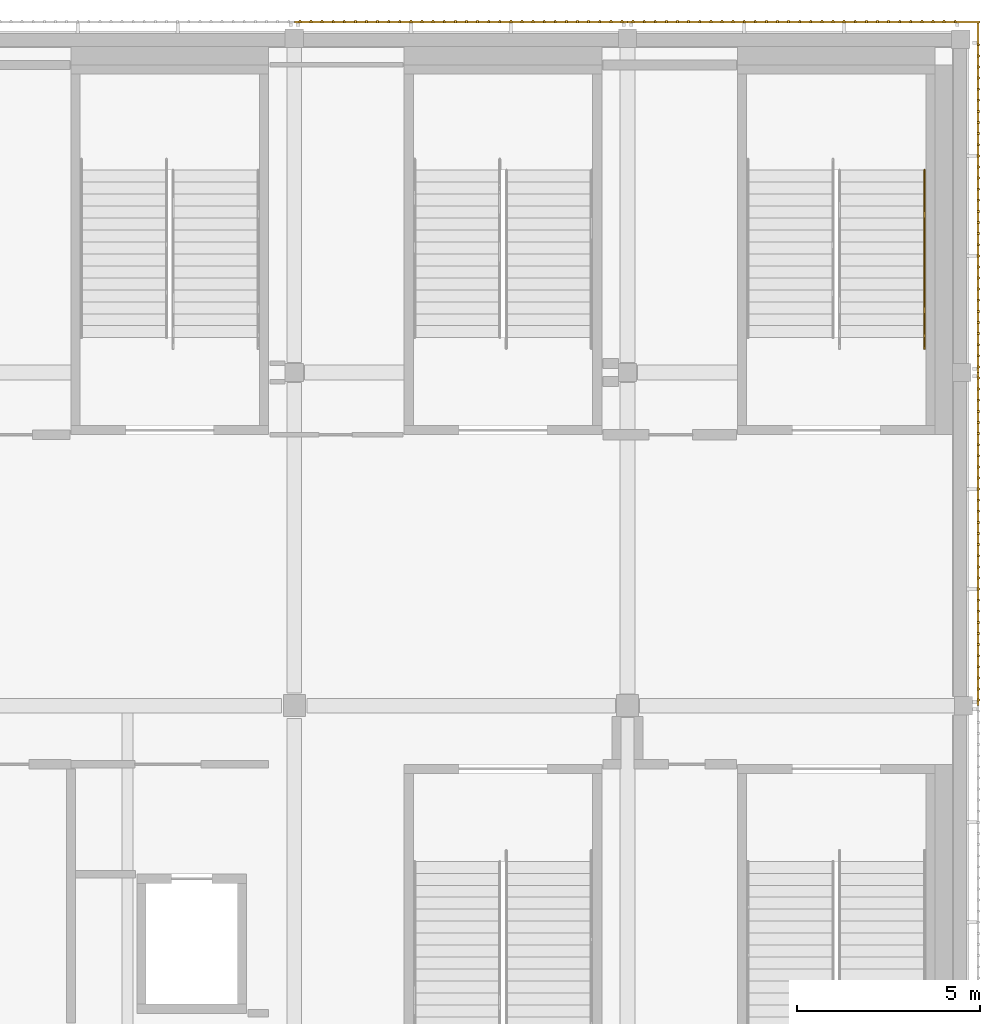
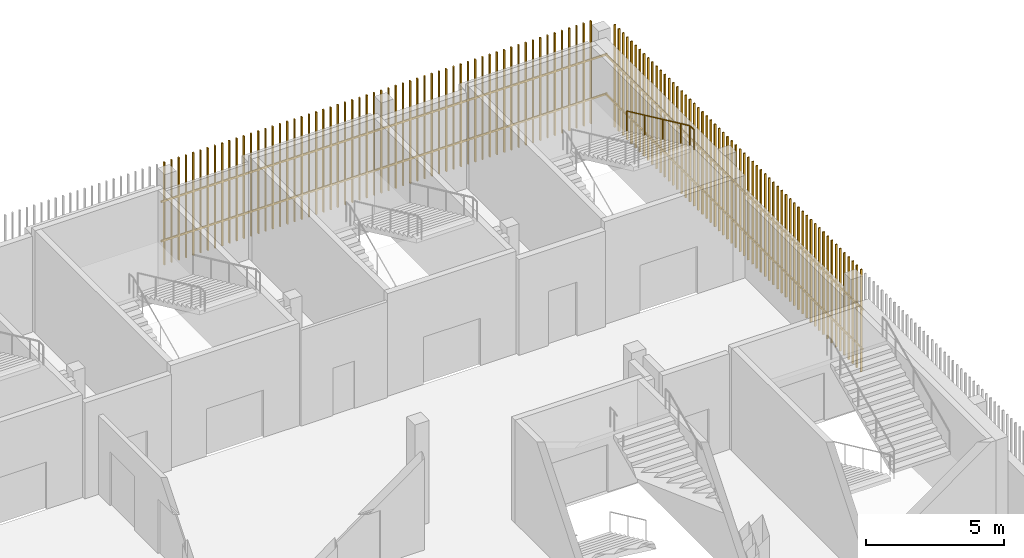
# One storey, part 121 of 124: 4 shading devices, 1 railing.
"""IFC4 building model written with IfcOpenShell, lengths in metres."""

from ifc_helpers import new_model, si_unit, direction, frame, origin, origin_2d, place, context, subcontext, project, spatial, rectangle, circle, extrude, material, type_object, element, save


model = new_model("IFC4")

# Units and contexts
model_context = context("Model", 3, precision=1e-05, world=origin(), true_north=direction((0.0, 1.0)))
body_context = subcontext(model_context, "Body", "Model", "MODEL_VIEW")
ifc_project = project(units=[si_unit("LENGTHUNIT", "METRE"), si_unit("AREAUNIT", "SQUARE_METRE"), si_unit("VOLUMEUNIT", "CUBIC_METRE"), si_unit("PLANEANGLEUNIT", "RADIAN"), si_unit("MASSUNIT", "GRAM", prefix="KILO")], contexts=[model_context])

# Site, building, storey
site_placement = place(None, origin())
site = spatial("IfcSite", under=ifc_project, at=site_placement, CompositionType="ELEMENT")
building_placement = place(site_placement, origin())
building = spatial("IfcBuilding", under=site, at=building_placement, Name="Shirokan Park Arena", CompositionType="ELEMENT")
storey_placement = place(building_placement, frame((0.0, 0.0, 20.02001953125)))
storey = spatial("IfcBuildingStorey", under=building, at=storey_placement, Name="L04", CompositionType="ELEMENT", Elevation=20.02001953125)

# Railing
ifc_material_1 = material(Name="Stainless steel", Category="steel")
railing_type = type_object("IfcRailingType", Name="Stair handrail 900", PredefinedType="HANDRAIL", material=ifc_material_1)
railing_placement = place(storey_placement, frame((144.610107421875, 105.623779296875, 2.4267578125)))
element("IfcRailing", 1, at=railing_placement, inside=storey, type_object=railing_type, Name="Handrail Exit Stair 3.A L04 to L05", PredefinedType="HANDRAIL", context=body_context, shape_type="SweptSolid", body=[
    extrude(circle(Radius=0.02392578125, at=origin_2d()), frame((0.0, 0.0, 0.8759765625), z_axis=(0.0, -0.907094476872, 0.420927083981), x_axis=(1.0, 0.0, 0.0)), (0.0, 0.0, 1.0), 1.440673828125),
    extrude(circle(Radius=0.02392578125, at=origin_2d()), frame((0.0, -1.306884765625, 1.482421875), z_axis=(0.0, -0.906999720516, 0.421131222998), x_axis=(1.0, 0.0, 0.0)), (0.0, 0.0, 1.0), 1.440673828125),
    extrude(circle(Radius=0.02392578125, at=origin_2d()), frame((0.0, -2.613525390625, 2.0888671875), z_axis=(0.0, -0.907029769225, 0.421066500378), x_axis=(1.0, 0.0, 0.0)), (0.0, 0.0, 1.0), 1.44091796875),
    extrude(circle(Radius=0.02392578125, at=origin_2d()), frame((0.0, -3.92041015625, 2.69580078125), z_axis=(0.0, -0.906934982928, 0.421270621741), x_axis=(1.0, 0.0, 0.0)), (0.0, 0.0, 1.0), 0.720458984375),
    extrude(circle(Radius=0.02392578125, at=origin_2d()), frame((0.0, -4.57373046875, 2.9990234375), z_axis=(0.0, -1.0, 0.0), x_axis=(1.0, 0.0, 0.0)), (0.0, 0.0, 1.0), 0.300048828125),
    extrude(circle(Radius=0.02099609375, at=origin_2d()), origin(), (0.0, 0.0, 1.0), 0.851806640625),
    extrude(circle(Radius=0.02099609375, at=origin_2d()), frame((0.0, -1.306884765625, 0.6064453125)), (0.0, 0.0, 1.0), 0.851806640625),
    extrude(circle(Radius=0.02099609375, at=origin_2d()), frame((0.0, -2.613525390625, 1.213134765625)), (0.0, 0.0, 1.0), 0.851806640625),
    extrude(circle(Radius=0.02099609375, at=origin_2d()), frame((0.0, -3.92041015625, 1.81982421875)), (0.0, 0.0, 1.0), 0.851806640625),
    extrude(circle(Radius=0.02099609375, at=origin_2d()), frame((0.0, -4.57373046875, 2.123291015625)), (0.0, 0.0, 1.0), 0.851806640625),
    extrude(circle(Radius=0.02099609375, at=origin_2d()), frame((0.0, -4.873779296875, 2.123291015625)), (0.0, 0.0, 1.0), 0.851806640625),
])

# Shading devices
ifc_material_2 = material(Name="Timber louvre veil (cedar)", Category="wood")
shading_device_type = type_object("IfcShadingDeviceType", Name="Timber louvre veil panel", PredefinedType="JALOUSIE", material=ifc_material_2)
shading_device_1_placement = place(storey_placement, origin())
element("IfcShadingDevice", 2, at=shading_device_1_placement, inside=storey, type_object=shading_device_type, Name="Timber louvre veil east bay 11 L04", PredefinedType="JALOUSIE", context=body_context, shape_type="SweptSolid", body=[
    extrude(rectangle(XDim=0.050048828125, YDim=0.080078125, at=origin_2d()), frame((146.0849609375, 91.151611328125, 0.0), z_axis=(0.0, 0.0, 1.0), x_axis=(0.0, 1.0, 0.0)), (0.0, 0.0, 1.0), 4.550048828125),
    extrude(rectangle(XDim=0.050048828125, YDim=0.080078125, at=origin_2d()), frame((146.0849609375, 91.455078125, 0.0), z_axis=(0.0, 0.0, 1.0), x_axis=(0.0, 1.0, 0.0)), (0.0, 0.0, 1.0), 4.550048828125),
    extrude(rectangle(XDim=0.050048828125, YDim=0.080078125, at=origin_2d()), frame((146.0849609375, 91.75830078125, 0.0), z_axis=(0.0, 0.0, 1.0), x_axis=(0.0, 1.0, 0.0)), (0.0, 0.0, 1.0), 4.550048828125),
    extrude(rectangle(XDim=0.050048828125, YDim=0.080078125, at=origin_2d()), frame((146.0849609375, 92.061767578125, 0.0), z_axis=(0.0, 0.0, 1.0), x_axis=(0.0, 1.0, 0.0)), (0.0, 0.0, 1.0), 4.550048828125),
    extrude(rectangle(XDim=0.050048828125, YDim=0.080078125, at=origin_2d()), frame((146.0849609375, 92.364990234375, 0.0), z_axis=(0.0, 0.0, 1.0), x_axis=(0.0, 1.0, 0.0)), (0.0, 0.0, 1.0), 4.550048828125),
    extrude(rectangle(XDim=0.050048828125, YDim=0.080078125, at=origin_2d()), frame((146.0849609375, 92.668212890625, 0.0), z_axis=(0.0, 0.0, 1.0), x_axis=(0.0, 1.0, 0.0)), (0.0, 0.0, 1.0), 4.550048828125),
    extrude(rectangle(XDim=0.050048828125, YDim=0.080078125, at=origin_2d()), frame((146.0849609375, 92.9716796875, 0.0), z_axis=(0.0, 0.0, 1.0), x_axis=(0.0, 1.0, 0.0)), (0.0, 0.0, 1.0), 4.550048828125),
    extrude(rectangle(XDim=0.050048828125, YDim=0.080078125, at=origin_2d()), frame((146.0849609375, 93.27490234375, 0.0), z_axis=(0.0, 0.0, 1.0), x_axis=(0.0, 1.0, 0.0)), (0.0, 0.0, 1.0), 4.550048828125),
    extrude(rectangle(XDim=0.050048828125, YDim=0.080078125, at=origin_2d()), frame((146.0849609375, 93.578369140625, 0.0), z_axis=(0.0, 0.0, 1.0), x_axis=(0.0, 1.0, 0.0)), (0.0, 0.0, 1.0), 4.550048828125),
    extrude(rectangle(XDim=0.050048828125, YDim=0.080078125, at=origin_2d()), frame((146.0849609375, 93.881591796875, 0.0), z_axis=(0.0, 0.0, 1.0), x_axis=(0.0, 1.0, 0.0)), (0.0, 0.0, 1.0), 4.550048828125),
    extrude(rectangle(XDim=0.050048828125, YDim=0.080078125, at=origin_2d()), frame((146.0849609375, 94.18505859375, 0.0), z_axis=(0.0, 0.0, 1.0), x_axis=(0.0, 1.0, 0.0)), (0.0, 0.0, 1.0), 4.550048828125),
    extrude(rectangle(XDim=0.050048828125, YDim=0.080078125, at=origin_2d()), frame((146.0849609375, 94.48828125, 0.0), z_axis=(0.0, 0.0, 1.0), x_axis=(0.0, 1.0, 0.0)), (0.0, 0.0, 1.0), 4.550048828125),
    extrude(rectangle(XDim=0.050048828125, YDim=0.080078125, at=origin_2d()), frame((146.0849609375, 94.791748046875, 0.0), z_axis=(0.0, 0.0, 1.0), x_axis=(0.0, 1.0, 0.0)), (0.0, 0.0, 1.0), 4.550048828125),
    extrude(rectangle(XDim=0.050048828125, YDim=0.080078125, at=origin_2d()), frame((146.0849609375, 95.094970703125, 0.0), z_axis=(0.0, 0.0, 1.0), x_axis=(0.0, 1.0, 0.0)), (0.0, 0.0, 1.0), 4.550048828125),
    extrude(rectangle(XDim=0.050048828125, YDim=0.080078125, at=origin_2d()), frame((146.0849609375, 95.3984375, 0.0), z_axis=(0.0, 0.0, 1.0), x_axis=(0.0, 1.0, 0.0)), (0.0, 0.0, 1.0), 4.550048828125),
    extrude(rectangle(XDim=0.050048828125, YDim=0.080078125, at=origin_2d()), frame((146.0849609375, 95.70166015625, 0.0), z_axis=(0.0, 0.0, 1.0), x_axis=(0.0, 1.0, 0.0)), (0.0, 0.0, 1.0), 4.550048828125),
    extrude(rectangle(XDim=0.050048828125, YDim=0.080078125, at=origin_2d()), frame((146.0849609375, 96.0048828125, 0.0), z_axis=(0.0, 0.0, 1.0), x_axis=(0.0, 1.0, 0.0)), (0.0, 0.0, 1.0), 4.550048828125),
    extrude(rectangle(XDim=0.050048828125, YDim=0.080078125, at=origin_2d()), frame((146.0849609375, 96.308349609375, 0.0), z_axis=(0.0, 0.0, 1.0), x_axis=(0.0, 1.0, 0.0)), (0.0, 0.0, 1.0), 4.550048828125),
    extrude(rectangle(XDim=0.050048828125, YDim=0.080078125, at=origin_2d()), frame((146.0849609375, 96.611572265625, 0.0), z_axis=(0.0, 0.0, 1.0), x_axis=(0.0, 1.0, 0.0)), (0.0, 0.0, 1.0), 4.550048828125),
    extrude(rectangle(XDim=0.050048828125, YDim=0.080078125, at=origin_2d()), frame((146.0849609375, 96.9150390625, 0.0), z_axis=(0.0, 0.0, 1.0), x_axis=(0.0, 1.0, 0.0)), (0.0, 0.0, 1.0), 4.550048828125),
    extrude(rectangle(XDim=0.050048828125, YDim=0.080078125, at=origin_2d()), frame((146.0849609375, 97.21826171875, 0.0), z_axis=(0.0, 0.0, 1.0), x_axis=(0.0, 1.0, 0.0)), (0.0, 0.0, 1.0), 4.550048828125),
    extrude(rectangle(XDim=0.050048828125, YDim=0.080078125, at=origin_2d()), frame((146.0849609375, 97.521728515625, 0.0), z_axis=(0.0, 0.0, 1.0), x_axis=(0.0, 1.0, 0.0)), (0.0, 0.0, 1.0), 4.550048828125),
    extrude(rectangle(XDim=0.050048828125, YDim=0.080078125, at=origin_2d()), frame((146.0849609375, 97.824951171875, 0.0), z_axis=(0.0, 0.0, 1.0), x_axis=(0.0, 1.0, 0.0)), (0.0, 0.0, 1.0), 4.550048828125),
    extrude(rectangle(XDim=0.050048828125, YDim=0.080078125, at=origin_2d()), frame((146.0849609375, 98.12841796875, 0.0), z_axis=(0.0, 0.0, 1.0), x_axis=(0.0, 1.0, 0.0)), (0.0, 0.0, 1.0), 4.550048828125),
    extrude(rectangle(XDim=0.050048828125, YDim=0.080078125, at=origin_2d()), frame((146.0849609375, 98.431640625, 0.0), z_axis=(0.0, 0.0, 1.0), x_axis=(0.0, 1.0, 0.0)), (0.0, 0.0, 1.0), 4.550048828125),
    extrude(rectangle(XDim=0.050048828125, YDim=0.080078125, at=origin_2d()), frame((146.0849609375, 98.735107421875, 0.0), z_axis=(0.0, 0.0, 1.0), x_axis=(0.0, 1.0, 0.0)), (0.0, 0.0, 1.0), 4.550048828125),
    extrude(rectangle(XDim=0.050048828125, YDim=0.080078125, at=origin_2d()), frame((146.0849609375, 99.038330078125, 0.0), z_axis=(0.0, 0.0, 1.0), x_axis=(0.0, 1.0, 0.0)), (0.0, 0.0, 1.0), 4.550048828125),
    extrude(rectangle(XDim=0.050048828125, YDim=0.080078125, at=origin_2d()), frame((146.0849609375, 99.341552734375, 0.0), z_axis=(0.0, 0.0, 1.0), x_axis=(0.0, 1.0, 0.0)), (0.0, 0.0, 1.0), 4.550048828125),
    extrude(rectangle(XDim=0.050048828125, YDim=0.080078125, at=origin_2d()), frame((146.0849609375, 99.64501953125, 0.0), z_axis=(0.0, 0.0, 1.0), x_axis=(0.0, 1.0, 0.0)), (0.0, 0.0, 1.0), 4.550048828125),
    extrude(rectangle(XDim=0.050048828125, YDim=0.080078125, at=origin_2d()), frame((146.0849609375, 99.9482421875, 0.0), z_axis=(0.0, 0.0, 1.0), x_axis=(0.0, 1.0, 0.0)), (0.0, 0.0, 1.0), 4.550048828125),
    extrude(rectangle(XDim=9.10009765625, YDim=0.050048828125, at=origin_2d()), frame((146.070068359375, 95.550048828125, 1.06005859375), z_axis=(0.0, 0.0, 1.0), x_axis=(0.0, 1.0, 0.0)), (0.0, 0.0, 1.0), 0.080078125),
    extrude(rectangle(XDim=9.10009765625, YDim=0.050048828125, at=origin_2d()), frame((146.070068359375, 95.550048828125, 2.81005859375), z_axis=(0.0, 0.0, 1.0), x_axis=(0.0, 1.0, 0.0)), (0.0, 0.0, 1.0), 0.080078125),
])
shading_device_2_placement = place(storey_placement, origin())
element("IfcShadingDevice", 3, at=shading_device_2_placement, inside=storey, type_object=shading_device_type, Name="Timber louvre veil east bay 12 L04", PredefinedType="JALOUSIE", context=body_context, shape_type="SweptSolid", body=[
    extrude(rectangle(XDim=0.050048828125, YDim=0.080078125, at=origin_2d()), frame((146.0849609375, 100.251708984375, 0.0), z_axis=(0.0, 0.0, 1.0), x_axis=(0.0, 1.0, 0.0)), (0.0, 0.0, 1.0), 4.550048828125),
    extrude(rectangle(XDim=0.050048828125, YDim=0.080078125, at=origin_2d()), frame((146.0849609375, 100.554931640625, 0.0), z_axis=(0.0, 0.0, 1.0), x_axis=(0.0, 1.0, 0.0)), (0.0, 0.0, 1.0), 4.550048828125),
    extrude(rectangle(XDim=0.050048828125, YDim=0.080078125, at=origin_2d()), frame((146.0849609375, 100.8583984375, 0.0), z_axis=(0.0, 0.0, 1.0), x_axis=(0.0, 1.0, 0.0)), (0.0, 0.0, 1.0), 4.550048828125),
    extrude(rectangle(XDim=0.050048828125, YDim=0.080078125, at=origin_2d()), frame((146.0849609375, 101.16162109375, 0.0), z_axis=(0.0, 0.0, 1.0), x_axis=(0.0, 1.0, 0.0)), (0.0, 0.0, 1.0), 4.550048828125),
    extrude(rectangle(XDim=0.050048828125, YDim=0.080078125, at=origin_2d()), frame((146.0849609375, 101.465087890625, 0.0), z_axis=(0.0, 0.0, 1.0), x_axis=(0.0, 1.0, 0.0)), (0.0, 0.0, 1.0), 4.550048828125),
    extrude(rectangle(XDim=0.050048828125, YDim=0.080078125, at=origin_2d()), frame((146.0849609375, 101.768310546875, 0.0), z_axis=(0.0, 0.0, 1.0), x_axis=(0.0, 1.0, 0.0)), (0.0, 0.0, 1.0), 4.550048828125),
    extrude(rectangle(XDim=0.050048828125, YDim=0.080078125, at=origin_2d()), frame((146.0849609375, 102.07177734375, 0.0), z_axis=(0.0, 0.0, 1.0), x_axis=(0.0, 1.0, 0.0)), (0.0, 0.0, 1.0), 4.550048828125),
    extrude(rectangle(XDim=0.050048828125, YDim=0.080078125, at=origin_2d()), frame((146.0849609375, 102.375, 0.0), z_axis=(0.0, 0.0, 1.0), x_axis=(0.0, 1.0, 0.0)), (0.0, 0.0, 1.0), 4.550048828125),
    extrude(rectangle(XDim=0.050048828125, YDim=0.080078125, at=origin_2d()), frame((146.0849609375, 102.67822265625, 0.0), z_axis=(0.0, 0.0, 1.0), x_axis=(0.0, 1.0, 0.0)), (0.0, 0.0, 1.0), 4.550048828125),
    extrude(rectangle(XDim=0.050048828125, YDim=0.080078125, at=origin_2d()), frame((146.0849609375, 102.981689453125, 0.0), z_axis=(0.0, 0.0, 1.0), x_axis=(0.0, 1.0, 0.0)), (0.0, 0.0, 1.0), 4.550048828125),
    extrude(rectangle(XDim=0.050048828125, YDim=0.080078125, at=origin_2d()), frame((146.0849609375, 103.284912109375, 0.0), z_axis=(0.0, 0.0, 1.0), x_axis=(0.0, 1.0, 0.0)), (0.0, 0.0, 1.0), 4.550048828125),
    extrude(rectangle(XDim=0.050048828125, YDim=0.080078125, at=origin_2d()), frame((146.0849609375, 103.58837890625, 0.0), z_axis=(0.0, 0.0, 1.0), x_axis=(0.0, 1.0, 0.0)), (0.0, 0.0, 1.0), 4.550048828125),
    extrude(rectangle(XDim=0.050048828125, YDim=0.080078125, at=origin_2d()), frame((146.0849609375, 103.8916015625, 0.0), z_axis=(0.0, 0.0, 1.0), x_axis=(0.0, 1.0, 0.0)), (0.0, 0.0, 1.0), 4.550048828125),
    extrude(rectangle(XDim=0.050048828125, YDim=0.080078125, at=origin_2d()), frame((146.0849609375, 104.195068359375, 0.0), z_axis=(0.0, 0.0, 1.0), x_axis=(0.0, 1.0, 0.0)), (0.0, 0.0, 1.0), 4.550048828125),
    extrude(rectangle(XDim=0.050048828125, YDim=0.080078125, at=origin_2d()), frame((146.0849609375, 104.498291015625, 0.0), z_axis=(0.0, 0.0, 1.0), x_axis=(0.0, 1.0, 0.0)), (0.0, 0.0, 1.0), 4.550048828125),
    extrude(rectangle(XDim=0.050048828125, YDim=0.080078125, at=origin_2d()), frame((146.0849609375, 104.8017578125, 0.0), z_axis=(0.0, 0.0, 1.0), x_axis=(0.0, 1.0, 0.0)), (0.0, 0.0, 1.0), 4.550048828125),
    extrude(rectangle(XDim=0.050048828125, YDim=0.080078125, at=origin_2d()), frame((146.0849609375, 105.10498046875, 0.0), z_axis=(0.0, 0.0, 1.0), x_axis=(0.0, 1.0, 0.0)), (0.0, 0.0, 1.0), 4.550048828125),
    extrude(rectangle(XDim=0.050048828125, YDim=0.080078125, at=origin_2d()), frame((146.0849609375, 105.408447265625, 0.0), z_axis=(0.0, 0.0, 1.0), x_axis=(0.0, 1.0, 0.0)), (0.0, 0.0, 1.0), 4.550048828125),
    extrude(rectangle(XDim=0.050048828125, YDim=0.080078125, at=origin_2d()), frame((146.0849609375, 105.711669921875, 0.0), z_axis=(0.0, 0.0, 1.0), x_axis=(0.0, 1.0, 0.0)), (0.0, 0.0, 1.0), 4.550048828125),
    extrude(rectangle(XDim=0.050048828125, YDim=0.080078125, at=origin_2d()), frame((146.0849609375, 106.014892578125, 0.0), z_axis=(0.0, 0.0, 1.0), x_axis=(0.0, 1.0, 0.0)), (0.0, 0.0, 1.0), 4.550048828125),
    extrude(rectangle(XDim=0.050048828125, YDim=0.080078125, at=origin_2d()), frame((146.0849609375, 106.318359375, 0.0), z_axis=(0.0, 0.0, 1.0), x_axis=(0.0, 1.0, 0.0)), (0.0, 0.0, 1.0), 4.550048828125),
    extrude(rectangle(XDim=0.050048828125, YDim=0.080078125, at=origin_2d()), frame((146.0849609375, 106.62158203125, 0.0), z_axis=(0.0, 0.0, 1.0), x_axis=(0.0, 1.0, 0.0)), (0.0, 0.0, 1.0), 4.550048828125),
    extrude(rectangle(XDim=0.050048828125, YDim=0.080078125, at=origin_2d()), frame((146.0849609375, 106.925048828125, 0.0), z_axis=(0.0, 0.0, 1.0), x_axis=(0.0, 1.0, 0.0)), (0.0, 0.0, 1.0), 4.550048828125),
    extrude(rectangle(XDim=0.050048828125, YDim=0.080078125, at=origin_2d()), frame((146.0849609375, 107.228271484375, 0.0), z_axis=(0.0, 0.0, 1.0), x_axis=(0.0, 1.0, 0.0)), (0.0, 0.0, 1.0), 4.550048828125),
    extrude(rectangle(XDim=0.050048828125, YDim=0.080078125, at=origin_2d()), frame((146.0849609375, 107.53173828125, 0.0), z_axis=(0.0, 0.0, 1.0), x_axis=(0.0, 1.0, 0.0)), (0.0, 0.0, 1.0), 4.550048828125),
    extrude(rectangle(XDim=0.050048828125, YDim=0.080078125, at=origin_2d()), frame((146.0849609375, 107.8349609375, 0.0), z_axis=(0.0, 0.0, 1.0), x_axis=(0.0, 1.0, 0.0)), (0.0, 0.0, 1.0), 4.550048828125),
    extrude(rectangle(XDim=0.050048828125, YDim=0.080078125, at=origin_2d()), frame((146.0849609375, 108.138427734375, 0.0), z_axis=(0.0, 0.0, 1.0), x_axis=(0.0, 1.0, 0.0)), (0.0, 0.0, 1.0), 4.550048828125),
    extrude(rectangle(XDim=0.050048828125, YDim=0.080078125, at=origin_2d()), frame((146.0849609375, 108.441650390625, 0.0), z_axis=(0.0, 0.0, 1.0), x_axis=(0.0, 1.0, 0.0)), (0.0, 0.0, 1.0), 4.550048828125),
    extrude(rectangle(XDim=0.050048828125, YDim=0.080078125, at=origin_2d()), frame((146.0849609375, 108.7451171875, 0.0), z_axis=(0.0, 0.0, 1.0), x_axis=(0.0, 1.0, 0.0)), (0.0, 0.0, 1.0), 4.550048828125),
    extrude(rectangle(XDim=0.050048828125, YDim=0.080078125, at=origin_2d()), frame((146.0849609375, 109.04833984375, 0.0), z_axis=(0.0, 0.0, 1.0), x_axis=(0.0, 1.0, 0.0)), (0.0, 0.0, 1.0), 4.550048828125),
    extrude(rectangle(XDim=9.544921875, YDim=0.050048828125, at=origin_2d()), frame((146.070068359375, 104.87255859375, 1.06005859375), z_axis=(0.0, 0.0, 1.0), x_axis=(0.0, 1.0, 0.0)), (0.0, 0.0, 1.0), 0.080078125),
    extrude(rectangle(XDim=9.544921875, YDim=0.050048828125, at=origin_2d()), frame((146.070068359375, 104.87255859375, 2.81005859375), z_axis=(0.0, 0.0, 1.0), x_axis=(0.0, 1.0, 0.0)), (0.0, 0.0, 1.0), 0.080078125),
])
shading_device_3_placement = place(storey_placement, origin())
element("IfcShadingDevice", 4, at=shading_device_3_placement, inside=storey, type_object=shading_device_type, Name="Timber louvre veil north bay 1 L04", PredefinedType="JALOUSIE", context=body_context, shape_type="SweptSolid", body=[
    extrude(rectangle(XDim=0.050048828125, YDim=0.080078125, at=origin_2d()), frame((145.4482421875, 109.68505859375, 0.0), z_axis=(0.0, 0.0, 1.0), x_axis=(-1.0, 0.0, 0.0)), (0.0, 0.0, 1.0), 4.550048828125),
    extrude(rectangle(XDim=0.050048828125, YDim=0.080078125, at=origin_2d()), frame((145.14501953125, 109.68505859375, 0.0), z_axis=(0.0, 0.0, 1.0), x_axis=(-1.0, 0.0, 0.0)), (0.0, 0.0, 1.0), 4.550048828125),
    extrude(rectangle(XDim=0.050048828125, YDim=0.080078125, at=origin_2d()), frame((144.841552734375, 109.68505859375, 0.0), z_axis=(0.0, 0.0, 1.0), x_axis=(-1.0, 0.0, 0.0)), (0.0, 0.0, 1.0), 4.550048828125),
    extrude(rectangle(XDim=0.050048828125, YDim=0.080078125, at=origin_2d()), frame((144.538330078125, 109.68505859375, 0.0), z_axis=(0.0, 0.0, 1.0), x_axis=(-1.0, 0.0, 0.0)), (0.0, 0.0, 1.0), 4.550048828125),
    extrude(rectangle(XDim=0.050048828125, YDim=0.080078125, at=origin_2d()), frame((144.235107421875, 109.68505859375, 0.0), z_axis=(0.0, 0.0, 1.0), x_axis=(-1.0, 0.0, 0.0)), (0.0, 0.0, 1.0), 4.550048828125),
    extrude(rectangle(XDim=0.050048828125, YDim=0.080078125, at=origin_2d()), frame((143.931640625, 109.68505859375, 0.0), z_axis=(0.0, 0.0, 1.0), x_axis=(-1.0, 0.0, 0.0)), (0.0, 0.0, 1.0), 4.550048828125),
    extrude(rectangle(XDim=0.050048828125, YDim=0.080078125, at=origin_2d()), frame((143.62841796875, 109.68505859375, 0.0), z_axis=(0.0, 0.0, 1.0), x_axis=(-1.0, 0.0, 0.0)), (0.0, 0.0, 1.0), 4.550048828125),
    extrude(rectangle(XDim=0.050048828125, YDim=0.080078125, at=origin_2d()), frame((143.324951171875, 109.68505859375, 0.0), z_axis=(0.0, 0.0, 1.0), x_axis=(-1.0, 0.0, 0.0)), (0.0, 0.0, 1.0), 4.550048828125),
    extrude(rectangle(XDim=0.050048828125, YDim=0.080078125, at=origin_2d()), frame((143.021728515625, 109.68505859375, 0.0), z_axis=(0.0, 0.0, 1.0), x_axis=(-1.0, 0.0, 0.0)), (0.0, 0.0, 1.0), 4.550048828125),
    extrude(rectangle(XDim=0.050048828125, YDim=0.080078125, at=origin_2d()), frame((142.71826171875, 109.68505859375, 0.0), z_axis=(0.0, 0.0, 1.0), x_axis=(-1.0, 0.0, 0.0)), (0.0, 0.0, 1.0), 4.550048828125),
    extrude(rectangle(XDim=0.050048828125, YDim=0.080078125, at=origin_2d()), frame((142.4150390625, 109.68505859375, 0.0), z_axis=(0.0, 0.0, 1.0), x_axis=(-1.0, 0.0, 0.0)), (0.0, 0.0, 1.0), 4.550048828125),
    extrude(rectangle(XDim=0.050048828125, YDim=0.080078125, at=origin_2d()), frame((142.111572265625, 109.68505859375, 0.0), z_axis=(0.0, 0.0, 1.0), x_axis=(-1.0, 0.0, 0.0)), (0.0, 0.0, 1.0), 4.550048828125),
    extrude(rectangle(XDim=0.050048828125, YDim=0.080078125, at=origin_2d()), frame((141.808349609375, 109.68505859375, 0.0), z_axis=(0.0, 0.0, 1.0), x_axis=(-1.0, 0.0, 0.0)), (0.0, 0.0, 1.0), 4.550048828125),
    extrude(rectangle(XDim=0.050048828125, YDim=0.080078125, at=origin_2d()), frame((141.5048828125, 109.68505859375, 0.0), z_axis=(0.0, 0.0, 1.0), x_axis=(-1.0, 0.0, 0.0)), (0.0, 0.0, 1.0), 4.550048828125),
    extrude(rectangle(XDim=0.050048828125, YDim=0.080078125, at=origin_2d()), frame((141.20166015625, 109.68505859375, 0.0), z_axis=(0.0, 0.0, 1.0), x_axis=(-1.0, 0.0, 0.0)), (0.0, 0.0, 1.0), 4.550048828125),
    extrude(rectangle(XDim=0.050048828125, YDim=0.080078125, at=origin_2d()), frame((140.8984375, 109.68505859375, 0.0), z_axis=(0.0, 0.0, 1.0), x_axis=(-1.0, 0.0, 0.0)), (0.0, 0.0, 1.0), 4.550048828125),
    extrude(rectangle(XDim=0.050048828125, YDim=0.080078125, at=origin_2d()), frame((140.594970703125, 109.68505859375, 0.0), z_axis=(0.0, 0.0, 1.0), x_axis=(-1.0, 0.0, 0.0)), (0.0, 0.0, 1.0), 4.550048828125),
    extrude(rectangle(XDim=0.050048828125, YDim=0.080078125, at=origin_2d()), frame((140.291748046875, 109.68505859375, 0.0), z_axis=(0.0, 0.0, 1.0), x_axis=(-1.0, 0.0, 0.0)), (0.0, 0.0, 1.0), 4.550048828125),
    extrude(rectangle(XDim=0.050048828125, YDim=0.080078125, at=origin_2d()), frame((139.98828125, 109.68505859375, 0.0), z_axis=(0.0, 0.0, 1.0), x_axis=(-1.0, 0.0, 0.0)), (0.0, 0.0, 1.0), 4.550048828125),
    extrude(rectangle(XDim=0.050048828125, YDim=0.080078125, at=origin_2d()), frame((139.68505859375, 109.68505859375, 0.0), z_axis=(0.0, 0.0, 1.0), x_axis=(-1.0, 0.0, 0.0)), (0.0, 0.0, 1.0), 4.550048828125),
    extrude(rectangle(XDim=0.050048828125, YDim=0.080078125, at=origin_2d()), frame((139.381591796875, 109.68505859375, 0.0), z_axis=(0.0, 0.0, 1.0), x_axis=(-1.0, 0.0, 0.0)), (0.0, 0.0, 1.0), 4.550048828125),
    extrude(rectangle(XDim=0.050048828125, YDim=0.080078125, at=origin_2d()), frame((139.078369140625, 109.68505859375, 0.0), z_axis=(0.0, 0.0, 1.0), x_axis=(-1.0, 0.0, 0.0)), (0.0, 0.0, 1.0), 4.550048828125),
    extrude(rectangle(XDim=0.050048828125, YDim=0.080078125, at=origin_2d()), frame((138.77490234375, 109.68505859375, 0.0), z_axis=(0.0, 0.0, 1.0), x_axis=(-1.0, 0.0, 0.0)), (0.0, 0.0, 1.0), 4.550048828125),
    extrude(rectangle(XDim=0.050048828125, YDim=0.080078125, at=origin_2d()), frame((138.4716796875, 109.68505859375, 0.0), z_axis=(0.0, 0.0, 1.0), x_axis=(-1.0, 0.0, 0.0)), (0.0, 0.0, 1.0), 4.550048828125),
    extrude(rectangle(XDim=0.050048828125, YDim=0.080078125, at=origin_2d()), frame((138.168212890625, 109.68505859375, 0.0), z_axis=(0.0, 0.0, 1.0), x_axis=(-1.0, 0.0, 0.0)), (0.0, 0.0, 1.0), 4.550048828125),
    extrude(rectangle(XDim=0.050048828125, YDim=0.080078125, at=origin_2d()), frame((137.864990234375, 109.68505859375, 0.0), z_axis=(0.0, 0.0, 1.0), x_axis=(-1.0, 0.0, 0.0)), (0.0, 0.0, 1.0), 4.550048828125),
    extrude(rectangle(XDim=0.050048828125, YDim=0.080078125, at=origin_2d()), frame((137.561767578125, 109.68505859375, 0.0), z_axis=(0.0, 0.0, 1.0), x_axis=(-1.0, 0.0, 0.0)), (0.0, 0.0, 1.0), 4.550048828125),
    extrude(rectangle(XDim=0.050048828125, YDim=0.080078125, at=origin_2d()), frame((137.25830078125, 109.68505859375, 0.0), z_axis=(0.0, 0.0, 1.0), x_axis=(-1.0, 0.0, 0.0)), (0.0, 0.0, 1.0), 4.550048828125),
    extrude(rectangle(XDim=0.050048828125, YDim=0.080078125, at=origin_2d()), frame((136.955078125, 109.68505859375, 0.0), z_axis=(0.0, 0.0, 1.0), x_axis=(-1.0, 0.0, 0.0)), (0.0, 0.0, 1.0), 4.550048828125),
    extrude(rectangle(XDim=0.050048828125, YDim=0.080078125, at=origin_2d()), frame((136.651611328125, 109.68505859375, 0.0), z_axis=(0.0, 0.0, 1.0), x_axis=(-1.0, 0.0, 0.0)), (0.0, 0.0, 1.0), 4.550048828125),
    extrude(rectangle(XDim=9.625, YDim=0.050048828125, at=origin_2d()), frame((141.3125, 109.669921875, 1.06005859375), z_axis=(0.0, 0.0, 1.0), x_axis=(-1.0, 0.0, 0.0)), (0.0, 0.0, 1.0), 0.080078125),
    extrude(rectangle(XDim=9.625, YDim=0.050048828125, at=origin_2d()), frame((141.3125, 109.669921875, 2.81005859375), z_axis=(0.0, 0.0, 1.0), x_axis=(-1.0, 0.0, 0.0)), (0.0, 0.0, 1.0), 0.080078125),
])
shading_device_4_placement = place(storey_placement, origin())
element("IfcShadingDevice", 5, at=shading_device_4_placement, inside=storey, type_object=shading_device_type, Name="Timber louvre veil north bay 2 L04", PredefinedType="JALOUSIE", context=body_context, shape_type="SweptSolid", body=[
    extrude(rectangle(XDim=0.050048828125, YDim=0.080078125, at=origin_2d()), frame((136.348388671875, 109.68505859375, 0.0), z_axis=(0.0, 0.0, 1.0), x_axis=(-1.0, 0.0, 0.0)), (0.0, 0.0, 1.0), 4.550048828125),
    extrude(rectangle(XDim=0.050048828125, YDim=0.080078125, at=origin_2d()), frame((136.044921875, 109.68505859375, 0.0), z_axis=(0.0, 0.0, 1.0), x_axis=(-1.0, 0.0, 0.0)), (0.0, 0.0, 1.0), 4.550048828125),
    extrude(rectangle(XDim=0.050048828125, YDim=0.080078125, at=origin_2d()), frame((135.74169921875, 109.68505859375, 0.0), z_axis=(0.0, 0.0, 1.0), x_axis=(-1.0, 0.0, 0.0)), (0.0, 0.0, 1.0), 4.550048828125),
    extrude(rectangle(XDim=0.050048828125, YDim=0.080078125, at=origin_2d()), frame((135.438232421875, 109.68505859375, 0.0), z_axis=(0.0, 0.0, 1.0), x_axis=(-1.0, 0.0, 0.0)), (0.0, 0.0, 1.0), 4.550048828125),
    extrude(rectangle(XDim=0.050048828125, YDim=0.080078125, at=origin_2d()), frame((135.135009765625, 109.68505859375, 0.0), z_axis=(0.0, 0.0, 1.0), x_axis=(-1.0, 0.0, 0.0)), (0.0, 0.0, 1.0), 4.550048828125),
    extrude(rectangle(XDim=0.050048828125, YDim=0.080078125, at=origin_2d()), frame((134.831787109375, 109.68505859375, 0.0), z_axis=(0.0, 0.0, 1.0), x_axis=(-1.0, 0.0, 0.0)), (0.0, 0.0, 1.0), 4.550048828125),
    extrude(rectangle(XDim=0.050048828125, YDim=0.080078125, at=origin_2d()), frame((134.5283203125, 109.68505859375, 0.0), z_axis=(0.0, 0.0, 1.0), x_axis=(-1.0, 0.0, 0.0)), (0.0, 0.0, 1.0), 4.550048828125),
    extrude(rectangle(XDim=0.050048828125, YDim=0.080078125, at=origin_2d()), frame((134.22509765625, 109.68505859375, 0.0), z_axis=(0.0, 0.0, 1.0), x_axis=(-1.0, 0.0, 0.0)), (0.0, 0.0, 1.0), 4.550048828125),
    extrude(rectangle(XDim=0.050048828125, YDim=0.080078125, at=origin_2d()), frame((133.921630859375, 109.68505859375, 0.0), z_axis=(0.0, 0.0, 1.0), x_axis=(-1.0, 0.0, 0.0)), (0.0, 0.0, 1.0), 4.550048828125),
    extrude(rectangle(XDim=0.050048828125, YDim=0.080078125, at=origin_2d()), frame((133.618408203125, 109.68505859375, 0.0), z_axis=(0.0, 0.0, 1.0), x_axis=(-1.0, 0.0, 0.0)), (0.0, 0.0, 1.0), 4.550048828125),
    extrude(rectangle(XDim=0.050048828125, YDim=0.080078125, at=origin_2d()), frame((133.31494140625, 109.68505859375, 0.0), z_axis=(0.0, 0.0, 1.0), x_axis=(-1.0, 0.0, 0.0)), (0.0, 0.0, 1.0), 4.550048828125),
    extrude(rectangle(XDim=0.050048828125, YDim=0.080078125, at=origin_2d()), frame((133.01171875, 109.68505859375, 0.0), z_axis=(0.0, 0.0, 1.0), x_axis=(-1.0, 0.0, 0.0)), (0.0, 0.0, 1.0), 4.550048828125),
    extrude(rectangle(XDim=0.050048828125, YDim=0.080078125, at=origin_2d()), frame((132.708251953125, 109.68505859375, 0.0), z_axis=(0.0, 0.0, 1.0), x_axis=(-1.0, 0.0, 0.0)), (0.0, 0.0, 1.0), 4.550048828125),
    extrude(rectangle(XDim=0.050048828125, YDim=0.080078125, at=origin_2d()), frame((132.405029296875, 109.68505859375, 0.0), z_axis=(0.0, 0.0, 1.0), x_axis=(-1.0, 0.0, 0.0)), (0.0, 0.0, 1.0), 4.550048828125),
    extrude(rectangle(XDim=0.050048828125, YDim=0.080078125, at=origin_2d()), frame((132.1015625, 109.68505859375, 0.0), z_axis=(0.0, 0.0, 1.0), x_axis=(-1.0, 0.0, 0.0)), (0.0, 0.0, 1.0), 4.550048828125),
    extrude(rectangle(XDim=0.050048828125, YDim=0.080078125, at=origin_2d()), frame((131.79833984375, 109.68505859375, 0.0), z_axis=(0.0, 0.0, 1.0), x_axis=(-1.0, 0.0, 0.0)), (0.0, 0.0, 1.0), 4.550048828125),
    extrude(rectangle(XDim=0.050048828125, YDim=0.080078125, at=origin_2d()), frame((131.4951171875, 109.68505859375, 0.0), z_axis=(0.0, 0.0, 1.0), x_axis=(-1.0, 0.0, 0.0)), (0.0, 0.0, 1.0), 4.550048828125),
    extrude(rectangle(XDim=0.050048828125, YDim=0.080078125, at=origin_2d()), frame((131.191650390625, 109.68505859375, 0.0), z_axis=(0.0, 0.0, 1.0), x_axis=(-1.0, 0.0, 0.0)), (0.0, 0.0, 1.0), 4.550048828125),
    extrude(rectangle(XDim=0.050048828125, YDim=0.080078125, at=origin_2d()), frame((130.888427734375, 109.68505859375, 0.0), z_axis=(0.0, 0.0, 1.0), x_axis=(-1.0, 0.0, 0.0)), (0.0, 0.0, 1.0), 4.550048828125),
    extrude(rectangle(XDim=0.050048828125, YDim=0.080078125, at=origin_2d()), frame((130.5849609375, 109.68505859375, 0.0), z_axis=(0.0, 0.0, 1.0), x_axis=(-1.0, 0.0, 0.0)), (0.0, 0.0, 1.0), 4.550048828125),
    extrude(rectangle(XDim=0.050048828125, YDim=0.080078125, at=origin_2d()), frame((130.28173828125, 109.68505859375, 0.0), z_axis=(0.0, 0.0, 1.0), x_axis=(-1.0, 0.0, 0.0)), (0.0, 0.0, 1.0), 4.550048828125),
    extrude(rectangle(XDim=0.050048828125, YDim=0.080078125, at=origin_2d()), frame((129.978271484375, 109.68505859375, 0.0), z_axis=(0.0, 0.0, 1.0), x_axis=(-1.0, 0.0, 0.0)), (0.0, 0.0, 1.0), 4.550048828125),
    extrude(rectangle(XDim=0.050048828125, YDim=0.080078125, at=origin_2d()), frame((129.675048828125, 109.68505859375, 0.0), z_axis=(0.0, 0.0, 1.0), x_axis=(-1.0, 0.0, 0.0)), (0.0, 0.0, 1.0), 4.550048828125),
    extrude(rectangle(XDim=0.050048828125, YDim=0.080078125, at=origin_2d()), frame((129.37158203125, 109.68505859375, 0.0), z_axis=(0.0, 0.0, 1.0), x_axis=(-1.0, 0.0, 0.0)), (0.0, 0.0, 1.0), 4.550048828125),
    extrude(rectangle(XDim=0.050048828125, YDim=0.080078125, at=origin_2d()), frame((129.068359375, 109.68505859375, 0.0), z_axis=(0.0, 0.0, 1.0), x_axis=(-1.0, 0.0, 0.0)), (0.0, 0.0, 1.0), 4.550048828125),
    extrude(rectangle(XDim=0.050048828125, YDim=0.080078125, at=origin_2d()), frame((128.764892578125, 109.68505859375, 0.0), z_axis=(0.0, 0.0, 1.0), x_axis=(-1.0, 0.0, 0.0)), (0.0, 0.0, 1.0), 4.550048828125),
    extrude(rectangle(XDim=0.050048828125, YDim=0.080078125, at=origin_2d()), frame((128.461669921875, 109.68505859375, 0.0), z_axis=(0.0, 0.0, 1.0), x_axis=(-1.0, 0.0, 0.0)), (0.0, 0.0, 1.0), 4.550048828125),
    extrude(rectangle(XDim=0.050048828125, YDim=0.080078125, at=origin_2d()), frame((128.158447265625, 109.68505859375, 0.0), z_axis=(0.0, 0.0, 1.0), x_axis=(-1.0, 0.0, 0.0)), (0.0, 0.0, 1.0), 4.550048828125),
    extrude(rectangle(XDim=0.050048828125, YDim=0.080078125, at=origin_2d()), frame((127.85498046875, 109.68505859375, 0.0), z_axis=(0.0, 0.0, 1.0), x_axis=(-1.0, 0.0, 0.0)), (0.0, 0.0, 1.0), 4.550048828125),
    extrude(rectangle(XDim=0.050048828125, YDim=0.080078125, at=origin_2d()), frame((127.5517578125, 109.68505859375, 0.0), z_axis=(0.0, 0.0, 1.0), x_axis=(-1.0, 0.0, 0.0)), (0.0, 0.0, 1.0), 4.550048828125),
    extrude(rectangle(XDim=9.10009765625, YDim=0.050048828125, at=origin_2d()), frame((131.949951171875, 109.669921875, 1.06005859375), z_axis=(0.0, 0.0, 1.0), x_axis=(-1.0, 0.0, 0.0)), (0.0, 0.0, 1.0), 0.080078125),
    extrude(rectangle(XDim=9.10009765625, YDim=0.050048828125, at=origin_2d()), frame((131.949951171875, 109.669921875, 2.81005859375), z_axis=(0.0, 0.0, 1.0), x_axis=(-1.0, 0.0, 0.0)), (0.0, 0.0, 1.0), 0.080078125),
])

save(model, "model.ifc")
